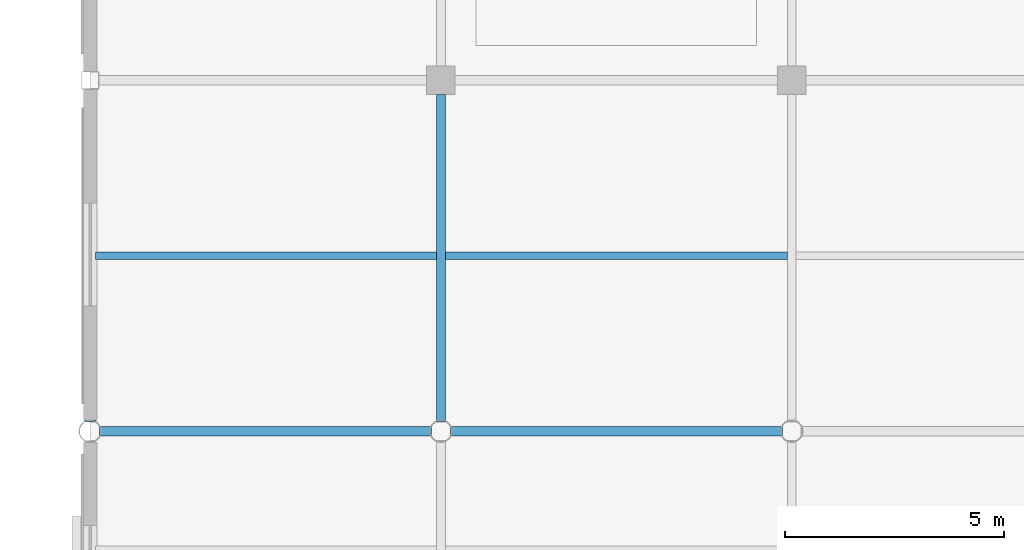
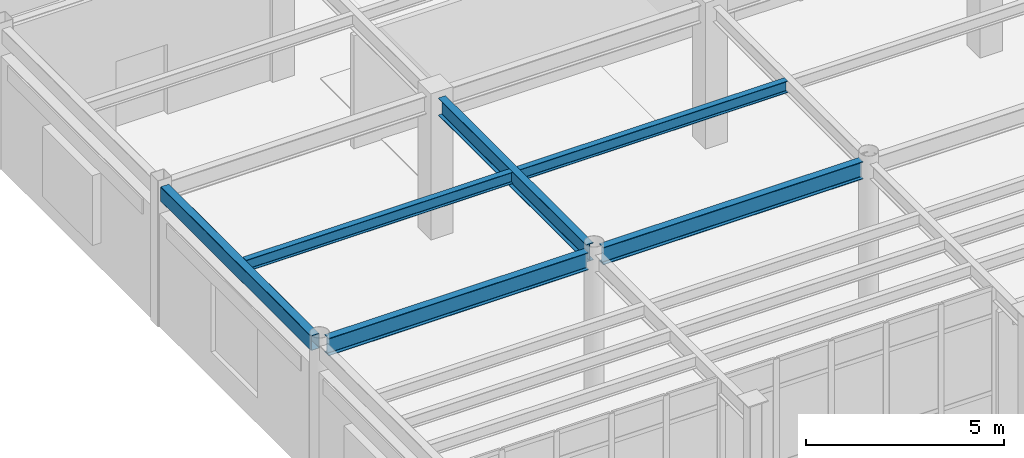
# One storey, part 38 of 111: 6 beams.
"""IFC4 building model written with IfcOpenShell, lengths in metres."""

from ifc_helpers import new_model, si_unit, direction, frame, origin, origin_2d, place, context, subcontext, project, spatial, hollow_rectangle, i_section, extrude, material, material_profile, profile_set, type_object, element, save


model = new_model("IFC4")

# Units and contexts
model_context = context("Model", 3, precision=1e-05, world=origin(), true_north=direction((0.0, 1.0)))
body_context = subcontext(model_context, "Body", "Model", "MODEL_VIEW")
ifc_project = project(units=[si_unit("LENGTHUNIT", "METRE"), si_unit("AREAUNIT", "SQUARE_METRE"), si_unit("VOLUMEUNIT", "CUBIC_METRE"), si_unit("PLANEANGLEUNIT", "RADIAN"), si_unit("MASSUNIT", "GRAM", prefix="KILO")], contexts=[model_context])

# Site, building, storey
site_placement = place(None, origin())
site = spatial("IfcSite", under=ifc_project, at=site_placement, CompositionType="ELEMENT")
building_placement = place(site_placement, origin())
building = spatial("IfcBuilding", under=site, at=building_placement, Name="Solmirada Galleria", CompositionType="ELEMENT")
storey_placement = place(building_placement, frame((0.0, 0.0, 10.39990234375)))
storey = spatial("IfcBuildingStorey", under=building, at=storey_placement, Name="L02", CompositionType="ELEMENT", Elevation=10.39990234375)

# Beams
ifc_material_1 = material(Name="Steel S355 / ASTM A992 Grade 50", Category="steel")
ifc_material_profile_1 = material_profile(ifc_material_1, i_section(OverallWidth=0.2099609375, OverallDepth=0.537109375, WebThickness=0.010986328125, FlangeThickness=0.017333984375, FilletRadius=0.014892578125, at=origin_2d()), Name="W21X68")
ifc_profile_set_1 = profile_set([ifc_material_profile_1], Name="Steel S355 / ASTM A992 Grade 50")
beam_type_1 = type_object("IfcBeamType", Name="BM-GIRD-W21B", PredefinedType="BEAM", material=ifc_profile_set_1)
for number, where, z_axis, x_axis, name in (
    (1, (40.21337890625, 88.0, 4.031494140625), (1.0, 0.0, 0.0), (0.0, 1.0, 0.0), "Primary beam L03 X(40..48, 88)"),
    (2, (48.21337890625, 88.0, 4.031494140625), (1.0, 0.0, 0.0), (0.0, 1.0, 0.0), "Primary beam L03 X(48..56, 88)"),
):
    element("IfcBeam", number, at=place(storey_placement, frame(where, z_axis=z_axis, x_axis=x_axis)), inside=storey, type_object=beam_type_1, Name=name, PredefinedType="BEAM", context=body_context, shape_type="SweptSolid", body=[
        extrude(i_section(OverallWidth=0.2099609375, OverallDepth=0.537109375, WebThickness=0.010986328125, FlangeThickness=0.017333984375, FilletRadius=0.014892578125, at=origin_2d()), origin(), (0.0, 0.0, 1.0), 7.5732421875),
    ])
beam_1_placement = place(storey_placement, frame((48.0, 88.21337890625, 4.031494140625), z_axis=(0.0, 1.0, 0.0), x_axis=(-1.0, 0.0, 0.0)))
element("IfcBeam", 3, at=beam_1_placement, inside=storey, type_object=beam_type_1, Name="Primary girder L03 Y(48, 88..96)", PredefinedType="BEAM", context=body_context, shape_type="SweptSolid", body=[
    extrude(i_section(OverallWidth=0.2099609375, OverallDepth=0.537109375, WebThickness=0.010986328125, FlangeThickness=0.017333984375, FilletRadius=0.014892578125, at=origin_2d()), origin(), (0.0, 0.0, 1.0), 7.461669921875),
])
ifc_material_profile_2 = material_profile(ifc_material_1, i_section(OverallWidth=0.172119140625, OverallDepth=0.35791015625, WebThickness=0.0078125, FlangeThickness=0.01318359375, FilletRadius=0.011962890625, at=origin_2d()), Name="W14X38")
ifc_profile_set_2 = profile_set([ifc_material_profile_2], Name="Steel S355 / ASTM A992 Grade 50")
beam_type_2 = type_object("IfcBeamType", Name="BM-JST-W14A", PredefinedType="JOIST", material=ifc_profile_set_2)
beam_2_placement = place(storey_placement, frame((40.126953125, 92.0, 4.12109375), z_axis=(1.0, 0.0, 0.0), x_axis=(0.0, 1.0, 0.0)))
element("IfcBeam", 4, at=beam_2_placement, inside=storey, type_object=beam_type_2, Name="Composite floor joist L03 (40..48, 92.0)", PredefinedType="JOIST", context=body_context, shape_type="SweptSolid", body=[
    extrude(i_section(OverallWidth=0.172119140625, OverallDepth=0.35791015625, WebThickness=0.0078125, FlangeThickness=0.01318359375, FilletRadius=0.011962890625, at=origin_2d()), origin(), (0.0, 0.0, 1.0), 7.76806640625),
])
beam_3_placement = place(storey_placement, frame((48.10498046875, 92.0, 4.12109375), z_axis=(1.0, 0.0, 0.0), x_axis=(0.0, 1.0, 0.0)))
element("IfcBeam", 5, at=beam_3_placement, inside=storey, type_object=beam_type_2, Name="Composite floor joist L03 (48..56, 92.0)", PredefinedType="JOIST", context=body_context, shape_type="SweptSolid", body=[
    extrude(i_section(OverallWidth=0.172119140625, OverallDepth=0.35791015625, WebThickness=0.0078125, FlangeThickness=0.01318359375, FilletRadius=0.011962890625, at=origin_2d()), origin(), (0.0, 0.0, 1.0), 7.798095703125),
])
ifc_material_2 = material(Name="Steel S355 / ASTM A500 Grade C", Category="steel")
ifc_material_profile_3 = material_profile(ifc_material_2, hollow_rectangle(XDim=0.25390625, YDim=0.45703125, WallThickness=0.01171875, InnerFilletRadius=0.01171875, OuterFilletRadius=0.023681640625, at=origin_2d()), Name="HSS18X10X1/2")
ifc_profile_set_3 = profile_set([ifc_material_profile_3], Name="Steel S355 / ASTM A500 Grade C")
beam_type_3 = type_object("IfcBeamType", Name="BM-SPAND-W18", PredefinedType="SPANDREL", material=ifc_profile_set_3)
beam_4_placement = place(storey_placement, frame((40.0, 88.21337890625, 4.071533203125), z_axis=(0.0, 1.0, 0.0), x_axis=(-1.0, 0.0, 0.0)))
element("IfcBeam", 6, at=beam_4_placement, inside=storey, type_object=beam_type_3, Name="Primary girder L03 Y(40, 88..96)", PredefinedType="SPANDREL", context=body_context, shape_type="SweptSolid", body=[
    extrude(hollow_rectangle(XDim=0.25390625, YDim=0.45703125, WallThickness=0.01171875, InnerFilletRadius=0.01171875, OuterFilletRadius=0.023681640625, at=origin_2d()), origin(), (0.0, 0.0, 1.0), 7.583740234375),
])

save(model, "model.ifc")
